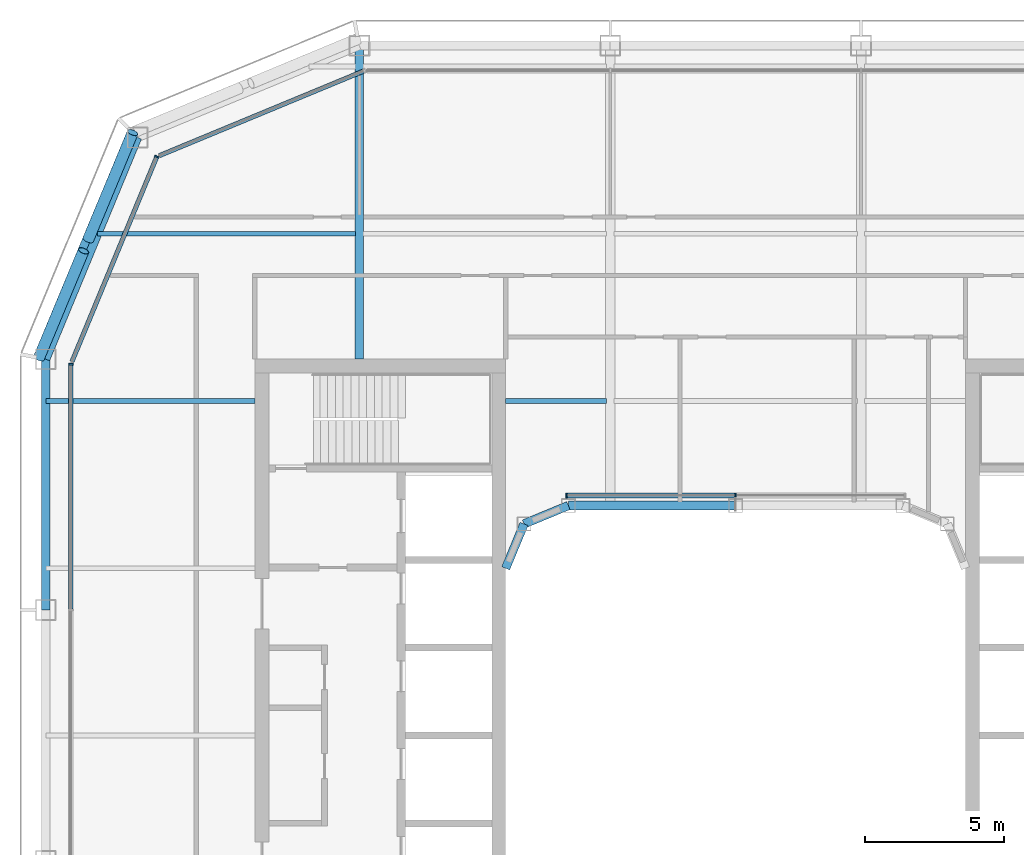
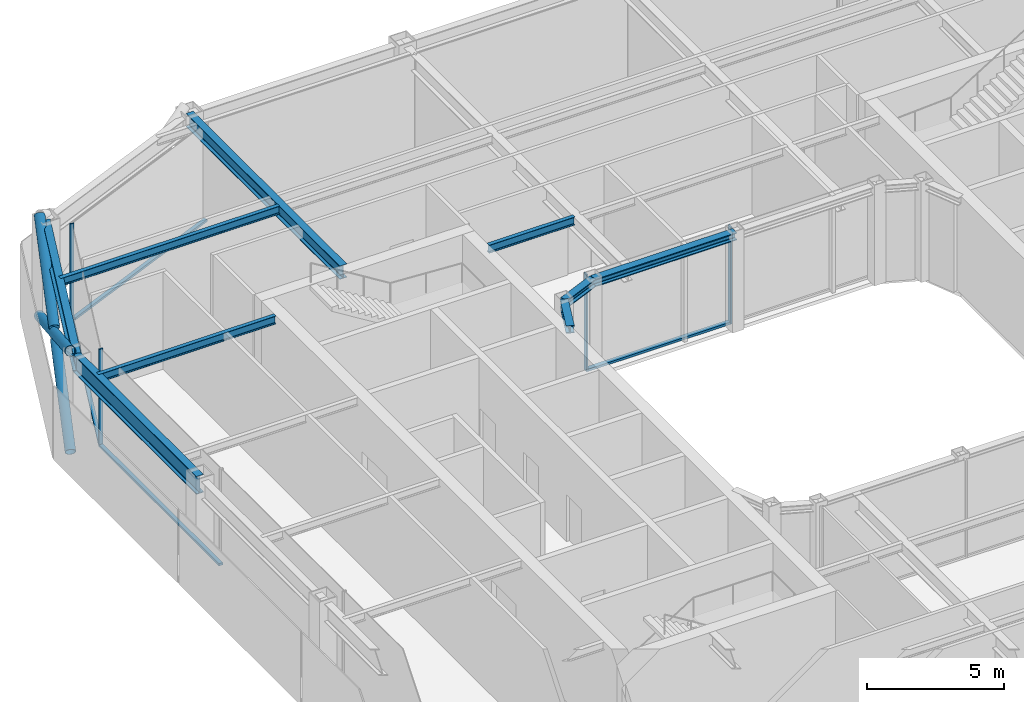
# One storey, part 6 of 17: 11 members, 9 beams, 4 elements without a shape of their own.
"""IFC4 building model written with IfcOpenShell, lengths in metres."""

from ifc_helpers import new_model, si_unit, direction, frame, origin, origin_2d, place, context, subcontext, project, spatial, rectangle, hollow_circle, i_section, extrude, material, layer, layer_set, material_profile, profile_set, type_object, element, aggregate, save


model = new_model("IFC4")

# Units and contexts
model_context = context("Model", 3, precision=1e-05, world=origin(), true_north=direction((0.0, 1.0)))
body_context = subcontext(model_context, "Body", "Model", "MODEL_VIEW")
ifc_project = project(units=[si_unit("LENGTHUNIT", "METRE"), si_unit("AREAUNIT", "SQUARE_METRE"), si_unit("VOLUMEUNIT", "CUBIC_METRE"), si_unit("PLANEANGLEUNIT", "RADIAN"), si_unit("MASSUNIT", "GRAM", prefix="KILO")], contexts=[model_context])

# Site, building, storey
site_placement = place(None, origin())
site = spatial("IfcSite", under=ifc_project, at=site_placement, CompositionType="ELEMENT")
building_placement = place(site_placement, origin())
building = spatial("IfcBuilding", under=site, at=building_placement, Name="Siwar Civic Tower", CompositionType="ELEMENT")
storey_placement = place(building_placement, frame((0.0, 0.0, 289.699951171875)))
storey = spatial("IfcBuildingStorey", under=building, at=storey_placement, Name="L62", CompositionType="ELEMENT", Elevation=289.699951171875)

# Curtain wall, member
ifc_material_1 = material(Name="Aluminium clad insulated panel", Category="aluminium")
ifc_layer_1 = layer(ifc_material_1, 0.159912109375)
ifc_layer_set_1 = layer_set([ifc_layer_1], Name="Aluminium clad insulated panel")
curtain_wall_type_1 = type_object("IfcCurtainWallType", Name="ENV-CW-DX", PredefinedType="NOTDEFINED", material=ifc_layer_set_1)
curtain_wall_1_placement = place(storey_placement, origin())
curtain_wall_1 = element("IfcCurtainWall", 1, at=curtain_wall_1_placement, inside=storey, type_object=curtain_wall_type_1, Name="Curtain wall D NW2", PredefinedType="NOTDEFINED")
ifc_material_2 = material(Name="Aluminium 6063-T6", Category="aluminium")
ifc_material_profile_1 = material_profile(ifc_material_2, rectangle(XDim=0.159912109375, YDim=0.06005859375, at=origin_2d()), Name="AL 160x60")
ifc_profile_set_1 = profile_set([ifc_material_profile_1], Name="Aluminium 6063-T6")
member_type_1 = type_object("IfcMemberType", Name="ENV-MULLION-D", PredefinedType="MULLION", material=ifc_profile_set_1)
member_1_placement = place(storey_placement, frame((-20.76611328125, 20.76611328125, 0.0), z_axis=(0.0, 0.0, 1.0), x_axis=(0.923879532511, -0.382683432365, 0.0)))
member_1 = element("IfcMember", 2, at=member_1_placement, type_object=member_type_1, Name="Mullion D NW2 1", PredefinedType="MULLION", context=body_context, shape_type="SweptSolid", body=[
    extrude(rectangle(XDim=0.159912109375, YDim=0.06005859375, at=origin_2d()), origin(), (0.0, 0.0, 1.0), 4.35009765625),
])

ifc_material_3 = material(Name="Aluminium and glass", Category="aluminium")
ifc_layer_2 = layer(ifc_material_3, 0.159912109375)
ifc_layer_set_2 = layer_set([ifc_layer_2], Name="Aluminium and glass")
curtain_wall_type_2 = type_object("IfcCurtainWallType", Name="ENV-CW-D", PredefinedType="NOTDEFINED", material=ifc_layer_set_2)
curtain_wall_2_placement = place(storey_placement, origin())
curtain_wall_2 = element("IfcCurtainWall", 3, at=curtain_wall_2_placement, inside=storey, type_object=curtain_wall_type_2, Name="Curtain wall D W", PredefinedType="NOTDEFINED")
member_2_placement = place(storey_placement, frame((-23.85009765625, 13.321044921875, 0.0), z_axis=(0.0, 0.0, 1.0), x_axis=(1.0, 0.0, 0.0)))
member_2 = element("IfcMember", 4, at=member_2_placement, type_object=member_type_1, Name="Mullion D W 1", PredefinedType="MULLION", context=body_context, shape_type="SweptSolid", body=[
    extrude(rectangle(XDim=0.159912109375, YDim=0.06005859375, at=origin_2d()), origin(), (0.0, 0.0, 1.0), 4.35009765625),
])

# Curtain wall, members
ifc_material_4 = material(Name="Aluminium and glass", Category="aluminium")
ifc_layer_3 = layer(ifc_material_4, 0.179931640625)
ifc_layer_set_3 = layer_set([ifc_layer_3], Name="Aluminium and glass")
curtain_wall_type_3 = type_object("IfcCurtainWallType", Name="ENV-CW-W", PredefinedType="NOTDEFINED", material=ifc_layer_set_3)
curtain_wall_3_placement = place(storey_placement, origin())
curtain_wall_3 = element("IfcCurtainWall", 5, at=curtain_wall_3_placement, inside=storey, type_object=curtain_wall_type_3, Name="Curtain wall W WN", PredefinedType="NOTDEFINED")
ifc_material_5 = material(Name="Aluminium 6063-T6", Category="aluminium")
ifc_material_profile_2 = material_profile(ifc_material_5, rectangle(XDim=0.179931640625, YDim=0.06005859375, at=origin_2d()), Name="AL 180x60")
ifc_profile_set_2 = profile_set([ifc_material_profile_2], Name="Aluminium 6063-T6")
member_type_2 = type_object("IfcMemberType", Name="ENV-MULLION-W", PredefinedType="MULLION", material=ifc_profile_set_2)
member_3_placement = place(storey_placement, frame((0.0, 8.610107421875, 0.0), z_axis=(0.0, 0.0, 1.0), x_axis=(0.0, -1.0, 0.0)))
member_3 = element("IfcMember", 6, at=member_3_placement, type_object=member_type_2, Name="Mullion W WN 2", PredefinedType="MULLION", context=body_context, shape_type="SweptSolid", body=[
    extrude(rectangle(XDim=0.179931640625, YDim=0.06005859375, at=origin_2d()), origin(), (0.0, 0.0, 1.0), 4.35009765625),
])
member_4_placement = place(storey_placement, frame((-6.071533203125, 8.610107421875, 0.0), z_axis=(0.0, 0.0, 1.0), x_axis=(0.0, -1.0, 0.0)))
member_4 = element("IfcMember", 7, at=member_4_placement, type_object=member_type_2, Name="Mullion W WN 3", PredefinedType="MULLION", context=body_context, shape_type="SweptSolid", body=[
    extrude(rectangle(XDim=0.179931640625, YDim=0.06005859375, at=origin_2d()), origin(), (0.0, 0.0, 1.0), 4.35009765625),
])

# Curtain wall, member
curtain_wall_4_placement = place(storey_placement, origin())
curtain_wall_4 = element("IfcCurtainWall", 8, at=curtain_wall_4_placement, inside=storey, type_object=curtain_wall_type_1, Name="Curtain wall D NW1", PredefinedType="NOTDEFINED")
ifc_material_6 = material(Name="Aluminium 6063-T6", Category="aluminium")
ifc_material_profile_3 = material_profile(ifc_material_6, rectangle(XDim=0.159912109375, YDim=0.10009765625, at=origin_2d()), Name="AL 160x100")
ifc_profile_set_3 = profile_set([ifc_material_profile_3], Name="Aluminium 6063-T6")
member_type_3 = type_object("IfcMemberType", Name="ENV-TRANSOM-D", PredefinedType="USERDEFINED", material=ifc_profile_set_3)
member_5_placement = place(storey_placement, frame((-13.3486328125, 23.838623046875, 0.050048828125), z_axis=(-0.923872756612, -0.382699790424, 0.0), x_axis=(0.382699790424, -0.923872756612, 0.0)))
member_5 = element("IfcMember", 9, at=member_5_placement, type_object=member_type_3, Name="Transom D NW1 1", ObjectType="TRANSOM", PredefinedType="USERDEFINED", context=body_context, shape_type="SweptSolid", body=[
    extrude(rectangle(XDim=0.159912109375, YDim=0.10009765625, at=origin_2d()), origin(), (0.0, 0.0, 1.0), 7.930908203125),
])
aggregate(curtain_wall_4, [member_5])

# Member
member_6_placement = place(storey_placement, frame((-20.777587890625, 20.738525390625, 0.050048828125), z_axis=(-0.382673515031, -0.923883640343, 0.0), x_axis=(0.923883640343, -0.382673515031, 0.0)))
member_6 = element("IfcMember", 10, at=member_6_placement, type_object=member_type_3, Name="Transom D NW2 1", ObjectType="TRANSOM", PredefinedType="USERDEFINED", context=body_context, shape_type="SweptSolid", body=[
    extrude(rectangle(XDim=0.159912109375, YDim=0.10009765625, at=origin_2d()), origin(), (0.0, 0.0, 1.0), 7.930908203125),
])

aggregate(curtain_wall_1, [member_1, member_6])

member_7_placement = place(storey_placement, frame((-23.85009765625, 13.291015625, 0.050048828125), z_axis=(0.0, -1.0, 0.0), x_axis=(1.0, 0.0, 0.0)))
member_7 = element("IfcMember", 11, at=member_7_placement, type_object=member_type_3, Name="Transom D W 1", ObjectType="TRANSOM", PredefinedType="USERDEFINED", context=body_context, shape_type="SweptSolid", body=[
    extrude(rectangle(XDim=0.159912109375, YDim=0.10009765625, at=origin_2d()), origin(), (0.0, 0.0, 1.0), 8.760986328125),
])

aggregate(curtain_wall_2, [member_2, member_7])

ifc_material_7 = material(Name="Aluminium 6063-T6", Category="aluminium")
ifc_material_profile_4 = material_profile(ifc_material_7, rectangle(XDim=0.179931640625, YDim=0.10009765625, at=origin_2d()), Name="AL 180x100")
ifc_profile_set_4 = profile_set([ifc_material_profile_4], Name="Aluminium 6063-T6")
member_type_4 = type_object("IfcMemberType", Name="ENV-TRANSOM-W", PredefinedType="USERDEFINED", material=ifc_profile_set_4)
member_8_placement = place(storey_placement, frame((-0.030029296875, 8.610107421875, 0.050048828125), z_axis=(-1.0, 0.0, 0.0), x_axis=(0.0, -1.0, 0.0)))
member_8 = element("IfcMember", 12, at=member_8_placement, type_object=member_type_4, Name="Transom W WN 2", ObjectType="TRANSOM", PredefinedType="USERDEFINED", context=body_context, shape_type="SweptSolid", body=[
    extrude(rectangle(XDim=0.179931640625, YDim=0.10009765625, at=origin_2d()), origin(), (0.0, 0.0, 1.0), 6.011474609375),
])

aggregate(curtain_wall_3, [member_3, member_4, member_8])

# Members
ifc_material_8 = material(Name="Steel S355", Category="steel")
ifc_material_profile_5 = material_profile(ifc_material_8, hollow_circle(Radius=0.203125, WallThickness=0.01611328125, at=origin_2d()), Name="CHS406.4x16")
ifc_profile_set_5 = profile_set([ifc_material_profile_5], Name="Steel S355")
member_type_5 = type_object("IfcMemberType", Name="STR-BR-CHS406.4x16", PredefinedType="BRACE", material=ifc_profile_set_5)
member_9_placement = place(storey_placement, frame((-21.6318359375, 21.6318359375, 0.0), z_axis=(-0.341671493852, -0.821142553604, 0.457149315816), x_axis=(0.923264922524, -0.384163874976, 0.0)))
element("IfcMember", 13, at=member_9_placement, inside=storey, type_object=member_type_5, Name="L62/brc/DNW1-1-0-1", PredefinedType="BRACE", context=body_context, shape_type="SweptSolid", body=[
    extrude(hollow_circle(Radius=0.203125, WallThickness=0.01611328125, at=origin_2d()), origin(), (0.0, 0.0, 1.0), 9.843505859375),
])
for number, where, z_axis, x_axis, name in (
    (14, (-24.9951171875, 13.548828125, 0.0), (0.341659024948, 0.821130093572, 0.45718101459), (-0.923267827529, 0.384156893273, 0.0), "L62/brc/DNW1-1-0-2"),
    (15, (-23.229736328125, 17.791259765625, 2.362060546875), (0.341652533125, 0.821166691915, 0.457120127208), (-0.923276488787, 0.38413607648, 0.0), "L62/brc/DNW1-1-0-3"),
):
    element("IfcMember", number, at=place(storey_placement, frame(where, z_axis=z_axis, x_axis=x_axis)), inside=storey, type_object=member_type_5, Name=name, PredefinedType="BRACE", context=body_context, shape_type="SweptSolid", body=[
        extrude(hollow_circle(Radius=0.203125, WallThickness=0.01611328125, at=origin_2d()), origin(), (0.0, 0.0, 1.0), 4.677001953125),
    ])

# Beams
ifc_material_9 = material(Name="Steel S355", Category="steel")
ifc_material_profile_6 = material_profile(ifc_material_9, i_section(OverallWidth=0.169921875, OverallDepth=0.360107421875, WebThickness=0.008056640625, FlangeThickness=0.0126953125, FilletRadius=0.01806640625, at=origin_2d()), Name="IPE360")
ifc_profile_set_6 = profile_set([ifc_material_profile_6], Name="Steel S355")
beam_type_1 = type_object("IfcBeamType", Name="STR-FB-IPE360", PredefinedType="JOIST", material=ifc_profile_set_6)
beam_1_placement = place(storey_placement, frame((-24.75, 12.0, 4.170166015625), z_axis=(1.0, 0.0, 0.0), x_axis=(0.0, 1.0, 0.0)))
element("IfcBeam", 16, at=beam_1_placement, inside=storey, type_object=beam_type_1, Name="L62/bm/F022", PredefinedType="JOIST", context=body_context, shape_type="SweptSolid", body=[
    extrude(i_section(OverallWidth=0.169921875, OverallDepth=0.360107421875, WebThickness=0.008056640625, FlangeThickness=0.0126953125, FilletRadius=0.01806640625, at=origin_2d()), origin(), (0.0, 0.0, 1.0), 7.5),
])
beam_2_placement = place(storey_placement, frame((-8.25, 12.0, 4.170166015625), z_axis=(1.0, 0.0, 0.0), x_axis=(0.0, 1.0, 0.0)))
element("IfcBeam", 17, at=beam_2_placement, inside=storey, type_object=beam_type_1, Name="L62/bm/F023", PredefinedType="JOIST", context=body_context, shape_type="SweptSolid", body=[
    extrude(i_section(OverallWidth=0.169921875, OverallDepth=0.360107421875, WebThickness=0.008056640625, FlangeThickness=0.0126953125, FilletRadius=0.01806640625, at=origin_2d()), origin(), (0.0, 0.0, 1.0), 3.6201171875),
])
beam_3_placement = place(storey_placement, frame((-22.885986328125, 18.0, 4.170166015625), z_axis=(1.0, 0.0, 0.0), x_axis=(0.0, 1.0, 0.0)))
element("IfcBeam", 18, at=beam_3_placement, inside=storey, type_object=beam_type_1, Name="L62/bm/F027", PredefinedType="JOIST", context=body_context, shape_type="SweptSolid", body=[
    extrude(i_section(OverallWidth=0.169921875, OverallDepth=0.360107421875, WebThickness=0.008056640625, FlangeThickness=0.0126953125, FilletRadius=0.01806640625, at=origin_2d()), origin(), (0.0, 0.0, 1.0), 9.256103515625),
])
ifc_material_10 = material(Name="Steel S355", Category="steel")
ifc_material_profile_7 = material_profile(ifc_material_10, i_section(OverallWidth=0.300048828125, OverallDepth=0.60009765625, WebThickness=0.015380859375, FlangeThickness=0.030029296875, FilletRadius=0.027099609375, at=origin_2d()), Name="HEB600")
ifc_profile_set_7 = profile_set([ifc_material_profile_7], Name="Steel S355")
beam_type_2 = type_object("IfcBeamType", Name="STR-PG-HEB600", PredefinedType="BEAM", material=ifc_profile_set_7)
beam_4_placement = place(storey_placement, frame((-13.5, 13.5, 4.050048828125), z_axis=(0.0, 1.0, 0.0), x_axis=(-1.0, 0.0, 0.0)))
element("IfcBeam", 19, at=beam_4_placement, inside=storey, type_object=beam_type_2, Name="L62/bm/G02", PredefinedType="BEAM", context=body_context, shape_type="SweptSolid", body=[
    extrude(i_section(OverallWidth=0.300048828125, OverallDepth=0.60009765625, WebThickness=0.015380859375, FlangeThickness=0.030029296875, FilletRadius=0.027099609375, at=origin_2d()), origin(), (0.0, 0.0, 1.0), 11.25),
])
ifc_material_11 = material(Name="Steel S355", Category="steel")
ifc_material_profile_8 = material_profile(ifc_material_11, i_section(OverallWidth=0.31005859375, OverallDepth=0.340087890625, WebThickness=0.02099609375, FlangeThickness=0.0390625, FilletRadius=0.027099609375, at=origin_2d()), Name="HEM300")
ifc_profile_set_8 = profile_set([ifc_material_profile_8], Name="Steel S355")
beam_type_3 = type_object("IfcBeamType", Name="STR-RB-HEM300", PredefinedType="BEAM", material=ifc_profile_set_8)
beam_5_placement = place(storey_placement, frame((-7.591064453125, 7.591064453125, 4.179931640625), z_axis=(0.923901072997, 0.382631424892, 0.0), x_axis=(-0.382631424892, 0.923901072997, 0.0)))
element("IfcBeam", 20, at=beam_5_placement, inside=storey, type_object=beam_type_3, Name="L62/bm/RN0", PredefinedType="BEAM", context=body_context, shape_type="SweptSolid", body=[
    extrude(i_section(OverallWidth=0.31005859375, OverallDepth=0.340087890625, WebThickness=0.02099609375, FlangeThickness=0.0390625, FilletRadius=0.027099609375, at=origin_2d()), origin(), (0.0, 0.0, 1.0), 1.72216796875),
])
beam_6_placement = place(storey_placement, frame((-6.0, 8.25, 4.179931640625), z_axis=(1.0, 0.0, 0.0), x_axis=(0.0, 1.0, 0.0)))
element("IfcBeam", 21, at=beam_6_placement, inside=storey, type_object=beam_type_3, Name="L62/bm/RN1", PredefinedType="BEAM", context=body_context, shape_type="SweptSolid", body=[
    extrude(i_section(OverallWidth=0.31005859375, OverallDepth=0.340087890625, WebThickness=0.02099609375, FlangeThickness=0.0390625, FilletRadius=0.027099609375, at=origin_2d()), origin(), (0.0, 0.0, 1.0), 6.0),
])
beam_7_placement = place(storey_placement, frame((-7.591064453125, 7.591064453125, 4.179931640625), z_axis=(-0.382631424892, -0.923901072997, 0.0), x_axis=(0.923901072997, -0.382631424892, 0.0)))
element("IfcBeam", 22, at=beam_7_placement, inside=storey, type_object=beam_type_3, Name="L62/bm/RNEW", PredefinedType="BEAM", context=body_context, shape_type="SweptSolid", body=[
    extrude(i_section(OverallWidth=0.31005859375, OverallDepth=0.340087890625, WebThickness=0.02099609375, FlangeThickness=0.0390625, FilletRadius=0.027099609375, at=origin_2d()), origin(), (0.0, 0.0, 1.0), 1.72216796875),
])
ifc_material_12 = material(Name="Steel S355", Category="steel")
ifc_material_profile_9 = material_profile(ifc_material_12, i_section(OverallWidth=0.300048828125, OverallDepth=0.800048828125, WebThickness=0.017578125, FlangeThickness=0.032958984375, FilletRadius=0.030029296875, at=origin_2d()), Name="HEB800")
ifc_profile_set_9 = profile_set([ifc_material_profile_9], Name="Steel S355")
beam_type_4 = type_object("IfcBeamType", Name="STR-SB-HEB800", PredefinedType="BEAM", material=ifc_profile_set_9)
beam_8_placement = place(storey_placement, frame((-21.454833984375, 21.454833984375, 3.949951171875), z_axis=(-0.382699877515, -0.923872720536, 0.0), x_axis=(0.923872720536, -0.382699877515, 0.0)))
element("IfcBeam", 23, at=beam_8_placement, inside=storey, type_object=beam_type_4, Name="L62/bm/SNW2-0", PredefinedType="BEAM", context=body_context, shape_type="SweptSolid", body=[
    extrude(i_section(OverallWidth=0.300048828125, OverallDepth=0.800048828125, WebThickness=0.017578125, FlangeThickness=0.032958984375, FilletRadius=0.030029296875, at=origin_2d()), origin(), (0.0, 0.0, 1.0), 8.6103515625),
])
beam_9_placement = place(storey_placement, frame((-24.75, 13.5, 3.949951171875), z_axis=(0.0, -1.0, 0.0), x_axis=(1.0, 0.0, 0.0)))
element("IfcBeam", 24, at=beam_9_placement, inside=storey, type_object=beam_type_4, Name="L62/bm/SW-0", PredefinedType="BEAM", context=body_context, shape_type="SweptSolid", body=[
    extrude(i_section(OverallWidth=0.300048828125, OverallDepth=0.800048828125, WebThickness=0.017578125, FlangeThickness=0.032958984375, FilletRadius=0.030029296875, at=origin_2d()), origin(), (0.0, 0.0, 1.0), 9.0),
])

save(model, "model.ifc")
